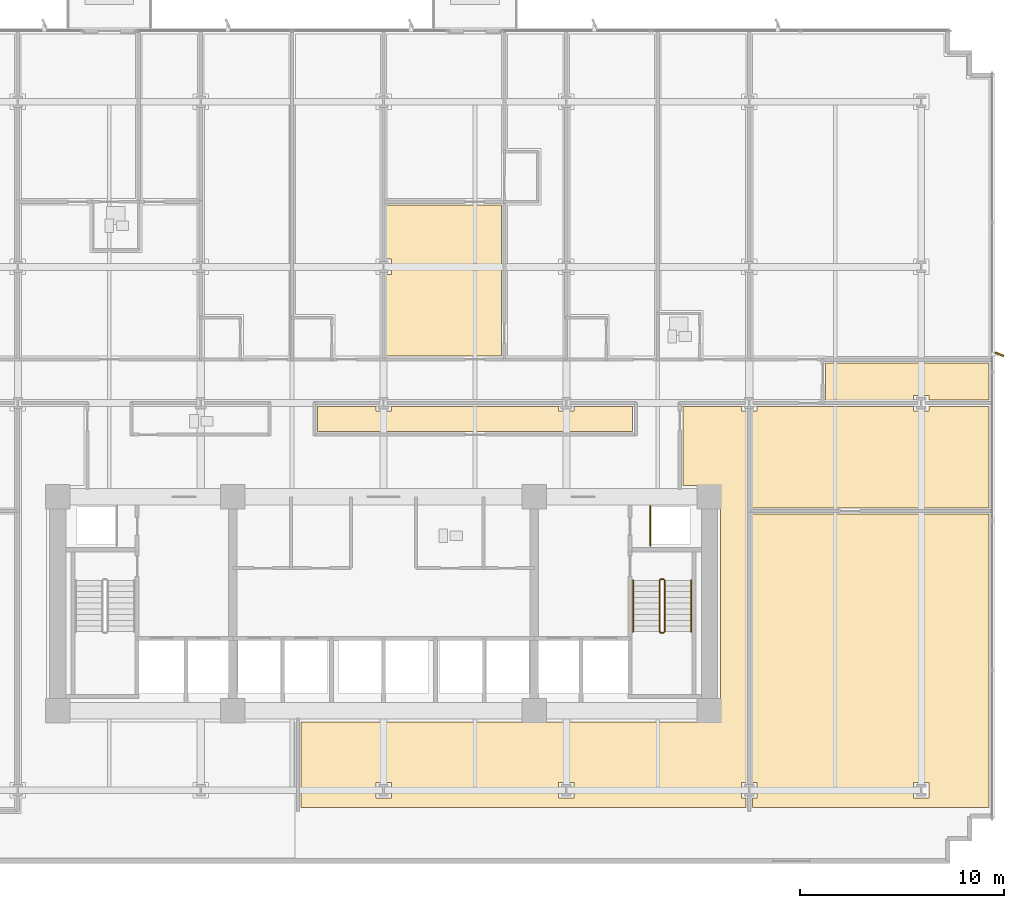
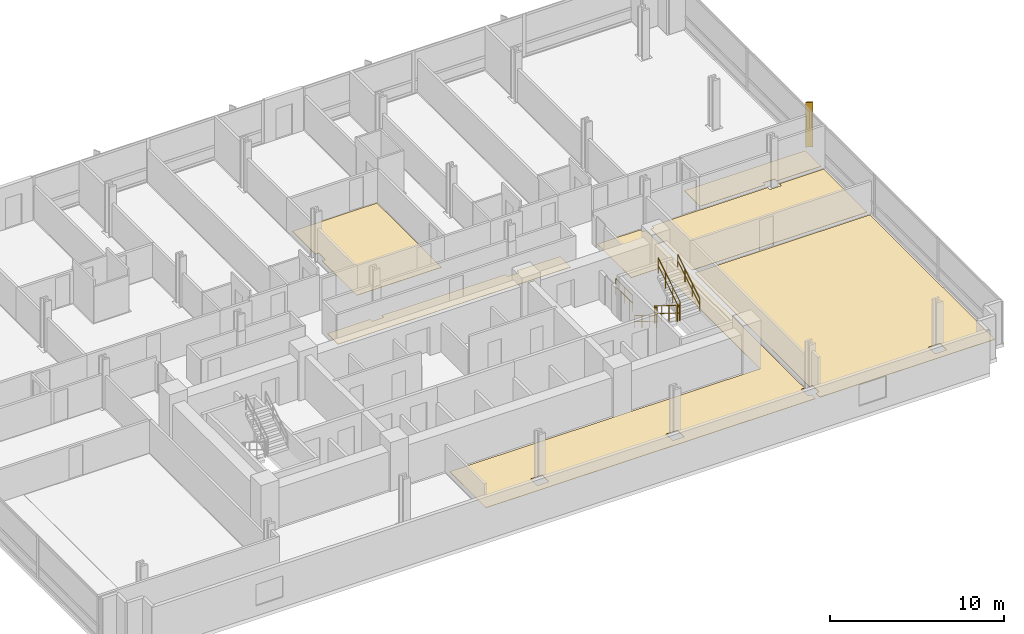
# One storey, part 13 of 15: 7 railings, 6 coverings, 1 shading device.
"""IFC4 building model written with IfcOpenShell, lengths in metres."""

from ifc_helpers import new_model, si_unit, direction, frame, origin, origin_2d, place, context, subcontext, project, spatial, polyline, rectangle, circle, outline, extrude, material, layer, layer_set, type_object, element, save


model = new_model("IFC4")

# Units and contexts
model_context = context("Model", 3, precision=1e-05, world=origin(), true_north=direction((0.0, 1.0)))
body_context = subcontext(model_context, "Body", "Model", "MODEL_VIEW")
ifc_project = project(units=[si_unit("LENGTHUNIT", "METRE"), si_unit("AREAUNIT", "SQUARE_METRE"), si_unit("VOLUMEUNIT", "CUBIC_METRE"), si_unit("PLANEANGLEUNIT", "RADIAN"), si_unit("MASSUNIT", "GRAM", prefix="KILO")], contexts=[model_context])

# Site, building, storey
site_placement = place(None, origin())
site = spatial("IfcSite", under=ifc_project, at=site_placement, CompositionType="ELEMENT")
building_placement = place(site_placement, origin())
building = spatial("IfcBuilding", under=site, at=building_placement, Name="Solmavex Isthmus Hotel", CompositionType="ELEMENT")
storey_placement = place(building_placement, frame((0.0, 0.0, 71.25)))
storey = spatial("IfcBuildingStorey", under=building, at=storey_placement, Name="L19", CompositionType="ELEMENT", Elevation=71.25)

# Coverings
ifc_material_1 = material(Name="Travertine natural stone", Category="masonry")
ifc_layer_1 = layer(ifc_material_1, 0.02490234375)
ifc_layer_set_1 = layer_set([ifc_layer_1], Name="Travertine natural stone")
covering_type = type_object("IfcCoveringType", Name="COV-FLOR-STN", PredefinedType="FLOORING", material=ifc_layer_set_1)
covering_1_placement = place(storey_placement, origin())
element("IfcCovering", 1, at=covering_1_placement, inside=storey, type_object=covering_type, Name="Stone and Timber Floor Finish L19-SL05-FY", PredefinedType="FLOORING", context=body_context, shape_type="SweptSolid", body=[
    extrude(outline(polyline([(0.155029296875, 9.16796875), (0.3798828125, 9.16796875), (0.3798828125, 8.407958984375), (0.155029296875, 8.407958984375), (0.155029296875, 4.405029296875), (5.782958984375, 4.405029296875), (5.782958984375, 11.8330078125), (0.155029296875, 11.8330078125), (0.155029296875, 9.16796875)])), origin(), (0.0, 0.0, 1.0), 0.02490234375),
])
covering_2_placement = place(storey_placement, origin())
element("IfcCovering", 2, at=covering_2_placement, inside=storey, type_object=covering_type, Name="Stone and Timber Floor Finish L19-FL11", PredefinedType="FLOORING", context=body_context, shape_type="SweptSolid", body=[
    extrude(outline(polyline([(26.02001953125, 2.2548828125), (26.02001953125, 2.47998046875), (26.780029296875, 2.47998046875), (26.780029296875, 2.2548828125), (29.72509765625, 2.2548828125), (29.72509765625, 4.074951171875), (21.70703125, 4.074951171875), (21.70703125, 2.2548828125), (26.02001953125, 2.2548828125)])), origin(), (0.0, 0.0, 1.0), 0.02490234375),
])
covering_3_placement = place(storey_placement, origin())
element("IfcCovering", 3, at=covering_3_placement, inside=storey, type_object=covering_type, Name="Stone and Timber Floor Finish L19-FL12", PredefinedType="FLOORING", context=body_context, shape_type="SweptSolid", body=[
    extrude(outline(polyline([(0.3798828125, 1.945068359375), (0.3798828125, 1.719970703125), (-0.3798828125, 1.719970703125), (-0.3798828125, 1.945068359375), (-3.23291015625, 1.945068359375), (-3.23291015625, 0.705078125), (12.22900390625, 0.705078125), (12.22900390625, 1.945068359375), (9.35595703125, 1.945068359375), (9.35595703125, 1.719970703125), (8.595947265625, 1.719970703125), (8.595947265625, 1.945068359375), (0.3798828125, 1.945068359375)])), origin(), (0.0, 0.0, 1.0), 0.02490234375),
])
covering_4_placement = place(storey_placement, origin())
element("IfcCovering", 4, at=covering_4_placement, inside=storey, type_object=covering_type, Name="Stone and Timber Floor Finish L19-FL14", PredefinedType="FLOORING", context=body_context, shape_type="SweptSolid", body=[
    extrude(outline(polyline([(26.780029296875, 1.945068359375), (26.780029296875, 1.719970703125), (26.02001953125, 1.719970703125), (26.02001953125, 1.945068359375), (18.33203125, 1.945068359375), (18.33203125, 1.719970703125), (18.10693359375, 1.719970703125), (18.10693359375, -3.044921875), (29.72509765625, -3.044921875), (29.72509765625, 1.945068359375), (26.780029296875, 1.945068359375)])), origin(), (0.0, 0.0, 1.0), 0.02490234375),
])
covering_5_placement = place(storey_placement, origin())
element("IfcCovering", 5, at=covering_5_placement, inside=storey, type_object=covering_type, Name="Stone and Timber Floor Finish L19-FL15", PredefinedType="FLOORING", context=body_context, shape_type="SweptSolid", body=[
    extrude(outline(polyline([(17.797119140625, 1.719970703125), (17.572021484375, 1.719970703125), (17.572021484375, 1.945068359375), (14.698974609375, 1.945068359375), (14.698974609375, -1.945068359375), (16.554931640625, -1.945068359375), (16.554931640625, -13.554931640625), (-4.044921875, -13.554931640625), (-4.044921875, -17.7451171875), (17.797119140625, -17.7451171875), (17.797119140625, -17.280029296875), (17.572021484375, -17.280029296875), (17.572021484375, -16.52001953125), (17.797119140625, -16.52001953125), (17.797119140625, 1.719970703125)]), holes=[polyline([(8.595947265625, -17.280029296875), (8.595947265625, -16.52001953125), (9.35595703125, -16.52001953125), (9.35595703125, -17.280029296875), (8.595947265625, -17.280029296875)]), polyline([(-0.3798828125, -17.280029296875), (-0.3798828125, -16.52001953125), (0.3798828125, -16.52001953125), (0.3798828125, -17.280029296875), (-0.3798828125, -17.280029296875)])]), origin(), (0.0, 0.0, 1.0), 0.02490234375),
])
covering_6_placement = place(storey_placement, origin())
element("IfcCovering", 6, at=covering_6_placement, inside=storey, type_object=covering_type, Name="Stone and Timber Floor Finish L19-FL18", PredefinedType="FLOORING", context=body_context, shape_type="SweptSolid", body=[
    extrude(outline(polyline([(18.10693359375, -16.52001953125), (18.33203125, -16.52001953125), (18.33203125, -17.280029296875), (18.10693359375, -17.280029296875), (18.10693359375, -17.7451171875), (29.72509765625, -17.7451171875), (29.72509765625, -3.35498046875), (18.10693359375, -3.35498046875), (18.10693359375, -16.52001953125)]), holes=[polyline([(26.02001953125, -17.280029296875), (26.02001953125, -16.52001953125), (26.780029296875, -16.52001953125), (26.780029296875, -17.280029296875), (26.02001953125, -17.280029296875)])]), origin(), (0.0, 0.0, 1.0), 0.02490234375),
])

# Railings
ifc_material_2 = material(Name="Clear low-E laminated glass", Category="glass")
ifc_layer_2 = layer(ifc_material_2, 0.080078125)
ifc_layer_set_2 = layer_set([ifc_layer_2], Name="Clear low-E laminated glass")
railing_type_1 = type_object("IfcRailingType", Name="RAIL-ATRIUM-1120", PredefinedType="BALUSTRADE", material=ifc_layer_set_2)
railing_1_placement = place(storey_placement, frame((13.10009765625, -4.89990234375, 0.0)))
element("IfcRailing", 7, at=railing_1_placement, inside=storey, type_object=railing_type_1, Name="Guardrail Balustrade L19-RSE-01", PredefinedType="BALUSTRADE", context=body_context, shape_type="SweptSolid", body=[
    extrude(circle(Radius=0.02392578125, at=origin_2d()), frame((0.0, 0.0, 1.1259765625), z_axis=(0.0, 1.0, 0.0), x_axis=(-1.0, 0.0, 0.0)), (0.0, 0.0, 1.0), 1.949951171875),
    extrude(circle(Radius=0.02392578125, at=origin_2d()), frame((0.0, 0.0, 0.574951171875), z_axis=(0.0, 1.0, 0.0), x_axis=(-1.0, 0.0, 0.0)), (0.0, 0.0, 1.0), 1.949951171875),
    extrude(circle(Radius=0.02099609375, at=origin_2d()), origin(), (0.0, 0.0, 1.0), 1.101806640625),
    extrude(circle(Radius=0.02099609375, at=origin_2d()), frame((0.0, 0.97509765625, 0.0)), (0.0, 0.0, 1.0), 1.101806640625),
    extrude(circle(Radius=0.02099609375, at=origin_2d()), frame((0.0, 1.949951171875, 0.0)), (0.0, 0.0, 1.0), 1.101806640625),
])
ifc_material_3 = material(Name="Stainless steel 316", Category="steel")
ifc_layer_3 = layer(ifc_material_3, 0.06005859375)
ifc_layer_set_3 = layer_set([ifc_layer_3], Name="Stainless steel 316")
railing_type_2 = type_object("IfcRailingType", Name="RAIL-STAIR-GD", PredefinedType="GUARDRAIL", material=ifc_layer_set_3)
railing_2_placement = place(storey_placement, frame((13.550048828125, -6.60009765625, 0.172607421875)))
element("IfcRailing", 8, at=railing_2_placement, inside=storey, type_object=railing_type_2, Name="L19 ST-2 stair guard 1", PredefinedType="GUARDRAIL", context=body_context, shape_type="SweptSolid", body=[
    extrude(circle(Radius=0.02392578125, at=origin_2d()), frame((0.0, 0.0, 1.09619140625), z_axis=(0.0, -0.851400495292, 0.524516154772), x_axis=(1.0, 0.0, 0.0)), (0.0, 0.0, 1.0), 2.9599609375),
    extrude(circle(Radius=0.02392578125, at=origin_2d()), frame((0.0, 0.0, 0.56005859375), z_axis=(0.0, -0.851400495292, 0.524516154772), x_axis=(1.0, 0.0, 0.0)), (0.0, 0.0, 1.0), 2.9599609375),
    extrude(circle(Radius=0.02099609375, at=origin_2d()), origin(), (0.0, 0.0, 1.0), 1.072021484375),
    extrude(circle(Radius=0.02099609375, at=origin_2d()), frame((0.0, -0.840087890625, 0.517578125)), (0.0, 0.0, 1.0), 1.072021484375),
    extrude(circle(Radius=0.02099609375, at=origin_2d()), frame((0.0, -1.679931640625, 1.034912109375)), (0.0, 0.0, 1.0), 1.072021484375),
    extrude(circle(Radius=0.02099609375, at=origin_2d()), frame((0.0, -2.52001953125, 1.552490234375)), (0.0, 0.0, 1.0), 1.072021484375),
])
railing_3_placement = place(storey_placement, frame((13.60009765625, -9.169921875, 1.72509765625)))
element("IfcRailing", 9, at=railing_3_placement, inside=storey, type_object=railing_type_2, Name="L19 ST-2 stair guard 2", PredefinedType="GUARDRAIL", context=body_context, shape_type="SweptSolid", body=[
    extrude(circle(Radius=0.02392578125, at=origin_2d()), frame((0.0, 0.0, 1.09619140625), z_axis=(1.0, 0.0, 0.0), x_axis=(0.0, 1.0, 0.0)), (0.0, 0.0, 1.0), 0.14990234375),
    extrude(circle(Radius=0.02392578125, at=origin_2d()), frame((0.0, 0.0, 0.56005859375), z_axis=(1.0, 0.0, 0.0), x_axis=(0.0, 1.0, 0.0)), (0.0, 0.0, 1.0), 0.14990234375),
    extrude(circle(Radius=0.02099609375, at=origin_2d()), origin(), (0.0, 0.0, 1.0), 1.072021484375),
    extrude(circle(Radius=0.02099609375, at=origin_2d()), frame((0.14990234375, 0.0, 0.0)), (0.0, 0.0, 1.0), 1.072021484375),
])
railing_4_placement = place(storey_placement, frame((13.800048828125, -9.1201171875, 1.8974609375)))
element("IfcRailing", 10, at=railing_4_placement, inside=storey, type_object=railing_type_2, Name="L19 ST-2 stair guard 3", PredefinedType="GUARDRAIL", context=body_context, shape_type="SweptSolid", body=[
    extrude(circle(Radius=0.02392578125, at=origin_2d()), frame((0.0, 0.0, 1.09619140625), z_axis=(0.0, 0.851400495292, 0.524516154772), x_axis=(-1.0, 0.0, 0.0)), (0.0, 0.0, 1.0), 2.9599609375),
    extrude(circle(Radius=0.02392578125, at=origin_2d()), frame((0.0, 0.0, 0.56005859375), z_axis=(0.0, 0.851400495292, 0.524516154772), x_axis=(-1.0, 0.0, 0.0)), (0.0, 0.0, 1.0), 2.9599609375),
    extrude(circle(Radius=0.02099609375, at=origin_2d()), origin(), (0.0, 0.0, 1.0), 1.072021484375),
    extrude(circle(Radius=0.02099609375, at=origin_2d()), frame((0.0, 0.840087890625, 0.517578125)), (0.0, 0.0, 1.0), 1.072021484375),
    extrude(circle(Radius=0.02099609375, at=origin_2d()), frame((0.0, 1.679931640625, 1.034912109375)), (0.0, 0.0, 1.0), 1.072021484375),
    extrude(circle(Radius=0.02099609375, at=origin_2d()), frame((0.0, 2.52001953125, 1.552490234375)), (0.0, 0.0, 1.0), 1.072021484375),
])
railing_5_placement = place(storey_placement, frame((13.60009765625, -6.550048828125, 0.0)))
element("IfcRailing", 11, at=railing_5_placement, inside=storey, type_object=railing_type_2, Name="L19 ST-2 stair guard 4", PredefinedType="GUARDRAIL", context=body_context, shape_type="SweptSolid", body=[
    extrude(circle(Radius=0.02392578125, at=origin_2d()), frame((0.0, 0.0, 1.09619140625), z_axis=(1.0, 0.0, 0.0), x_axis=(0.0, 1.0, 0.0)), (0.0, 0.0, 1.0), 0.14990234375),
    extrude(circle(Radius=0.02392578125, at=origin_2d()), frame((0.0, 0.0, 0.56005859375), z_axis=(1.0, 0.0, 0.0), x_axis=(0.0, 1.0, 0.0)), (0.0, 0.0, 1.0), 0.14990234375),
    extrude(circle(Radius=0.02099609375, at=origin_2d()), origin(), (0.0, 0.0, 1.0), 1.072021484375),
    extrude(circle(Radius=0.02099609375, at=origin_2d()), frame((0.14990234375, 0.0, 0.0)), (0.0, 0.0, 1.0), 1.072021484375),
])
ifc_layer_4 = layer(ifc_material_3, 0.050048828125)
ifc_layer_set_4 = layer_set([ifc_layer_4], Name="Stainless steel 316")
railing_type_3 = type_object("IfcRailingType", Name="RAIL-STAIR-HR", PredefinedType="HANDRAIL", material=ifc_layer_set_4)
railing_6_placement = place(storey_placement, frame((12.25, -6.60009765625, 0.172607421875)))
element("IfcRailing", 12, at=railing_6_placement, inside=storey, type_object=railing_type_3, Name="L19 ST-2 stair handrail 1", PredefinedType="HANDRAIL", context=body_context, shape_type="SweptSolid", body=[
    extrude(circle(Radius=0.02392578125, at=origin_2d()), frame((0.0, 0.0, 0.8759765625), z_axis=(0.0, -0.851400495292, 0.524516154772), x_axis=(1.0, 0.0, 0.0)), (0.0, 0.0, 1.0), 2.9599609375),
    extrude(circle(Radius=0.02392578125, at=origin_2d()), frame((0.0, 0.0, 0.449951171875), z_axis=(0.0, -0.851400495292, 0.524516154772), x_axis=(1.0, 0.0, 0.0)), (0.0, 0.0, 1.0), 2.9599609375),
    extrude(circle(Radius=0.02099609375, at=origin_2d()), origin(), (0.0, 0.0, 1.0), 0.851806640625),
    extrude(circle(Radius=0.02099609375, at=origin_2d()), frame((0.0, -0.840087890625, 0.517578125)), (0.0, 0.0, 1.0), 0.851806640625),
    extrude(circle(Radius=0.02099609375, at=origin_2d()), frame((0.0, -1.679931640625, 1.034912109375)), (0.0, 0.0, 1.0), 0.851806640625),
    extrude(circle(Radius=0.02099609375, at=origin_2d()), frame((0.0, -2.52001953125, 1.552490234375)), (0.0, 0.0, 1.0), 0.851806640625),
])
railing_7_placement = place(storey_placement, frame((15.10009765625, -9.1201171875, 1.8974609375)))
element("IfcRailing", 13, at=railing_7_placement, inside=storey, type_object=railing_type_3, Name="L19 ST-2 stair handrail 2", PredefinedType="HANDRAIL", context=body_context, shape_type="SweptSolid", body=[
    extrude(circle(Radius=0.02392578125, at=origin_2d()), frame((0.0, 0.0, 0.8759765625), z_axis=(0.0, 0.851400495292, 0.524516154772), x_axis=(-1.0, 0.0, 0.0)), (0.0, 0.0, 1.0), 2.9599609375),
    extrude(circle(Radius=0.02392578125, at=origin_2d()), frame((0.0, 0.0, 0.449951171875), z_axis=(0.0, 0.851400495292, 0.524516154772), x_axis=(-1.0, 0.0, 0.0)), (0.0, 0.0, 1.0), 2.9599609375),
    extrude(circle(Radius=0.02099609375, at=origin_2d()), origin(), (0.0, 0.0, 1.0), 0.851806640625),
    extrude(circle(Radius=0.02099609375, at=origin_2d()), frame((0.0, 0.840087890625, 0.517578125)), (0.0, 0.0, 1.0), 0.851806640625),
    extrude(circle(Radius=0.02099609375, at=origin_2d()), frame((0.0, 1.679931640625, 1.034912109375)), (0.0, 0.0, 1.0), 0.851806640625),
    extrude(circle(Radius=0.02099609375, at=origin_2d()), frame((0.0, 2.52001953125, 1.552490234375)), (0.0, 0.0, 1.0), 0.851806640625),
])

# Shading device
ifc_material_4 = material(Name="Aluminium alloy 6063-T6", Category="aluminium")
shading_device_type = type_object("IfcShadingDeviceType", Name="SHD-FIN-BRONZE", PredefinedType="USERDEFINED", material=ifc_material_4)
shading_device_placement = place(storey_placement, frame((30.239990234375, 4.5, -0.14013671875), z_axis=(0.0, 0.0, 1.0), x_axis=(0.913545457643, -0.406736643076, 0.0)))
element("IfcShadingDevice", 14, at=shading_device_placement, inside=storey, type_object=shading_device_type, Name="Anodised Aluminium Solar Fin L19-E1", ObjectType="SOLAR_FIN", PredefinedType="USERDEFINED", context=body_context, shape_type="SweptSolid", body=[
    extrude(rectangle(XDim=0.449951171875, YDim=0.080078125, at=origin_2d()), origin(), (0.0, 0.0, 1.0), 3.139892578125),
])

save(model, "model.ifc")
